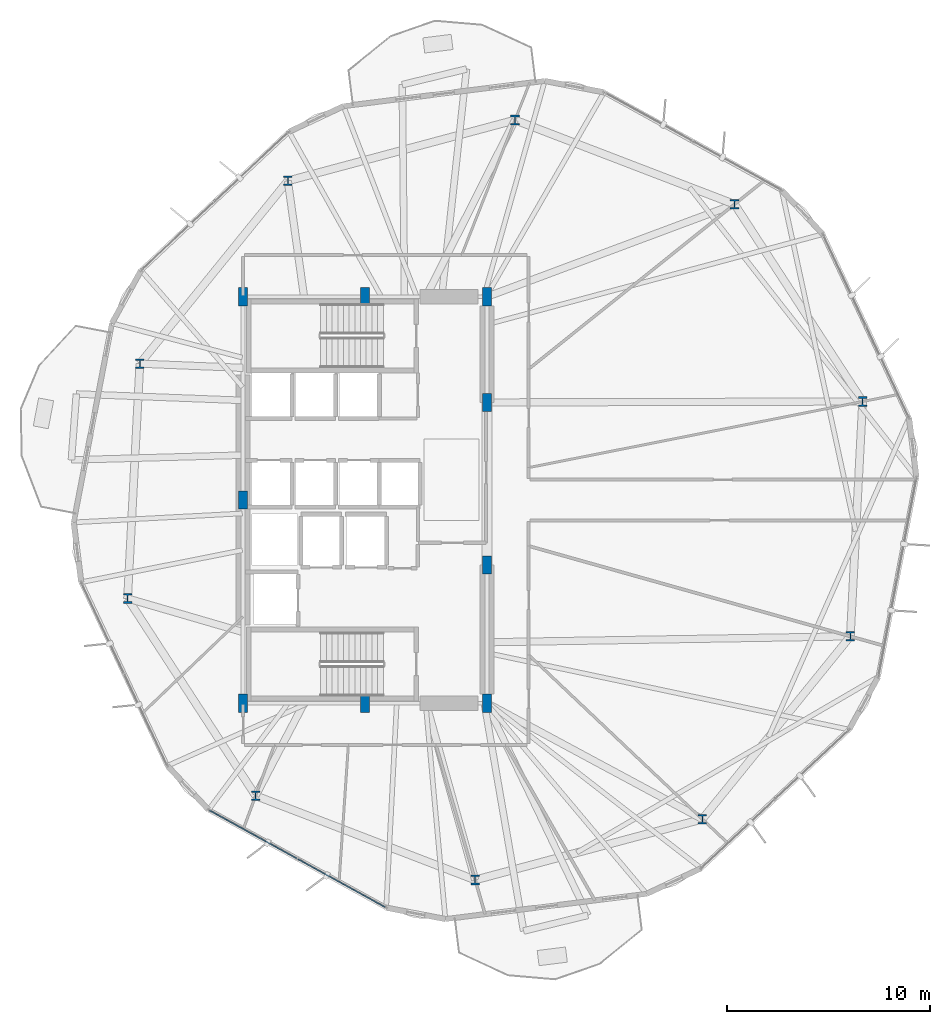
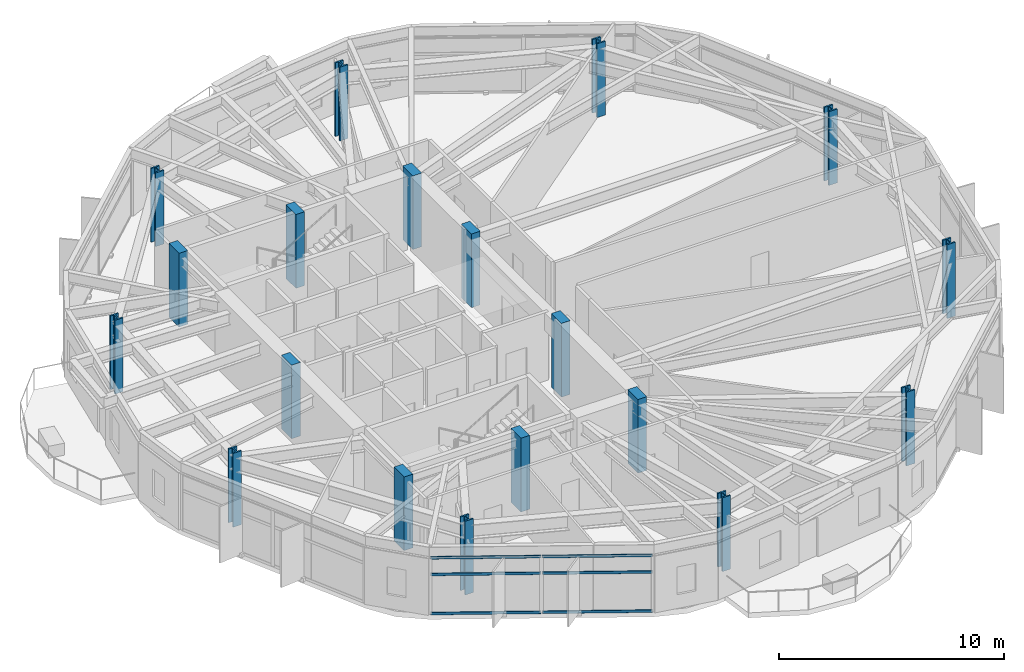
# One storey, part 1 of 22: 19 columns, 6 members, 1 element without a shape of its own.
"""IFC4 building model written with IfcOpenShell, lengths in metres."""

from ifc_helpers import new_model, si_unit, direction, frame, origin, origin_2d, place, context, subcontext, project, spatial, rectangle, hollow_rectangle, i_section, extrude, material, layer, layer_set, material_profile, profile_set, type_object, element, aggregate, save


model = new_model("IFC4")

# Units and contexts
model_context = context("Model", 3, precision=1e-05, world=origin(), true_north=direction((0.0, 1.0)))
body_context = subcontext(model_context, "Body", "Model", "MODEL_VIEW")
ifc_project = project(units=[si_unit("LENGTHUNIT", "METRE"), si_unit("AREAUNIT", "SQUARE_METRE"), si_unit("VOLUMEUNIT", "CUBIC_METRE"), si_unit("PLANEANGLEUNIT", "RADIAN"), si_unit("MASSUNIT", "GRAM", prefix="KILO")], contexts=[model_context])

# Site, building, storey
site_placement = place(None, origin())
site = spatial("IfcSite", under=ifc_project, at=site_placement, CompositionType="ELEMENT")
building_placement = place(site_placement, origin())
building = spatial("IfcBuilding", under=site, at=building_placement, Name="Soratama Intermodal Tower", CompositionType="ELEMENT")
storey_placement = place(building_placement, frame((0.0, 0.0, 54.60009765625)))
storey = spatial("IfcBuildingStorey", under=building, at=storey_placement, Name="L12", CompositionType="ELEMENT", Elevation=54.60009765625)

# Columns
ifc_material_1 = material(Name="Structural steel ASTM A992 Grade 50", Category="steel")
ifc_material_profile_1 = material_profile(ifc_material_1, i_section(OverallWidth=0.424072265625, OverallDepth=0.47412109375, WebThickness=0.047607421875, FlangeThickness=0.0771484375, FilletRadius=0.0380859375, at=origin_2d()), Name="W14X426")
ifc_profile_set_1 = profile_set([ifc_material_profile_1], Name="Structural steel ASTM A992 Grade 50")
column_type_1 = type_object("IfcColumnType", Name="COL-ZA-W14X426", PredefinedType="COLUMN", material=ifc_profile_set_1)
for number, where, z_axis, x_axis, name in (
    (1, (63.08203125, 29.84521484375, 0.0), (0.0, 0.0, 1.0), (1.0, 0.0, 0.0), "L12 Tower Ring Column R01"),
    (2, (56.781005859375, 39.548095703125, 0.0), (0.0, 0.0, 1.0), (1.0, 0.0, 0.0), "L12 Tower Ring Column R02"),
    (3, (45.979736328125, 43.6943359375, 0.0), (0.0, 0.0, 1.0), (1.0, 0.0, 0.0), "L12 Tower Ring Column R03"),
    (4, (34.804443359375, 40.699951171875, 0.0), (0.0, 0.0, 1.0), (1.0, 0.0, 0.0), "L12 Tower Ring Column R04"),
    (5, (27.5234375, 31.70849609375, 0.0), (0.0, 0.0, 1.0), (1.0, 0.0, 0.0), "L12 Tower Ring Column R05"),
    (6, (26.91796875, 20.15478515625, 0.0), (0.0, 0.0, 1.0), (1.0, 0.0, 0.0), "L12 Tower Ring Column R06"),
    (7, (33.218994140625, 10.451904296875, 0.0), (0.0, 0.0, 1.0), (1.0, 0.0, 0.0), "L12 Tower Ring Column R07"),
    (8, (44.020263671875, 6.3056640625, 0.0), (0.0, 0.0, 1.0), (1.0, 0.0, 0.0), "L12 Tower Ring Column R08"),
    (9, (55.195556640625, 9.300048828125, 0.0), (0.0, 0.0, 1.0), (1.0, 0.0, 0.0), "L12 Tower Ring Column R09"),
    (10, (62.4765625, 18.29150390625, 0.0), (0.0, 0.0, 1.0), (1.0, 0.0, 0.0), "L12 Tower Ring Column R10"),
):
    element("IfcColumn", number, at=place(storey_placement, frame(where, z_axis=z_axis, x_axis=x_axis)), inside=storey, type_object=column_type_1, Name=name, PredefinedType="COLUMN", context=body_context, shape_type="SweptSolid", body=[
        extrude(i_section(OverallWidth=0.424072265625, OverallDepth=0.47412109375, WebThickness=0.047607421875, FlangeThickness=0.0771484375, FilletRadius=0.0380859375, at=origin_2d()), origin(), (0.0, 0.0, 1.0), 4.0),
    ])
ifc_material_2 = material(Name="Concrete f'c 56 MPa", Category="concrete")
ifc_material_profile_2 = material_profile(ifc_material_2, rectangle(XDim=0.449951171875, YDim=0.89990234375, at=origin_2d()), Name="RC450X900")
ifc_profile_set_2 = profile_set([ifc_material_profile_2], Name="Concrete f'c 56 MPa")
column_type_2 = type_object("IfcColumnType", Name="PIL-CORE-450X900", PredefinedType="PILASTER", material=ifc_profile_set_2)
for number, where, z_axis, x_axis, name in (
    (11, (32.60009765625, 15.0, 0.0), (0.0, 0.0, 1.0), (1.0, 0.0, 0.0), "L12 Core Pilaster 1"),
    (12, (32.60009765625, 25.0, 0.0), (0.0, 0.0, 1.0), (1.0, 0.0, 0.0), "L12 Core Pilaster 2"),
    (13, (32.60009765625, 35.0, 0.0), (0.0, 0.0, 1.0), (1.0, 0.0, 0.0), "L12 Core Pilaster 3"),
    (14, (38.60009765625, 15.0, 0.0), (0.0, 0.0, 1.0), (1.0, 0.0, 0.0), "L12 Core Pilaster 4"),
    (15, (38.60009765625, 35.0, 0.0), (0.0, 0.0, 1.0), (1.0, 0.0, 0.0), "L12 Core Pilaster 5"),
    (16, (44.60009765625, 15.0, 0.0), (0.0, 0.0, 1.0), (1.0, 0.0, 0.0), "L12 Core Pilaster 6"),
    (17, (44.60009765625, 21.800048828125, 0.0), (0.0, 0.0, 1.0), (1.0, 0.0, 0.0), "L12 Core Pilaster 7"),
    (18, (44.60009765625, 29.800048828125, 0.0), (0.0, 0.0, 1.0), (1.0, 0.0, 0.0), "L12 Core Pilaster 8"),
    (19, (44.60009765625, 35.0, 0.0), (0.0, 0.0, 1.0), (1.0, 0.0, 0.0), "L12 Core Pilaster 9"),
):
    element("IfcColumn", number, at=place(storey_placement, frame(where, z_axis=z_axis, x_axis=x_axis)), inside=storey, type_object=column_type_2, Name=name, PredefinedType="PILASTER", context=body_context, shape_type="SweptSolid", body=[
        extrude(rectangle(XDim=0.449951171875, YDim=0.89990234375, at=origin_2d()), origin(), (0.0, 0.0, 1.0), 4.0),
    ])

# Curtain wall, members
ifc_material_3 = material(Name="Double-glazed aluminium curtain wall", Category="aluminium")
ifc_layer = layer(ifc_material_3, 0.159912109375)
ifc_layer_set = layer_set([ifc_layer], Name="Double-glazed aluminium curtain wall")
curtain_wall_type = type_object("IfcCurtainWallType", Name="CW-SYS-2", PredefinedType="NOTDEFINED", material=ifc_layer_set)
curtain_wall_placement = place(storey_placement, origin())
curtain_wall = element("IfcCurtainWall", 20, at=curtain_wall_placement, inside=storey, type_object=curtain_wall_type, Name="L12 Faceted Curtain Wall F07", PredefinedType="NOTDEFINED")
ifc_material_4 = material(Name="Anodised aluminium AA 6063-T6", Category="aluminium")
ifc_material_profile_3 = material_profile(ifc_material_4, hollow_rectangle(XDim=0.06494140625, YDim=0.14990234375, WallThickness=0.0048828125, InnerFilletRadius=0.0048828125, OuterFilletRadius=0.010009765625, at=origin_2d()), Name="CWT150X65X5")
ifc_profile_set_3 = profile_set([ifc_material_profile_3], Name="Anodised aluminium AA 6063-T6")
member_type = type_object("IfcMemberType", Name="TT-CWT-1", PredefinedType="USERDEFINED", material=ifc_profile_set_3)
member_1_placement = place(storey_placement, frame((30.953857421875, 9.7265625, 0.02978515625), z_axis=(0.875790540889, -0.482691338734, 0.0), x_axis=(0.482691338734, 0.875790540889, 0.0)))
member_1 = element("IfcMember", 21, at=member_1_placement, type_object=member_type, Name="CW-2 transom 1.1", ObjectType="TRANSOM", PredefinedType="USERDEFINED", context=body_context, shape_type="SweptSolid", body=[
    extrude(hollow_rectangle(XDim=0.06494140625, YDim=0.14990234375, WallThickness=0.0048828125, InnerFilletRadius=0.0048828125, OuterFilletRadius=0.010009765625, at=origin_2d()), origin(), (0.0, 0.0, 1.0), 4.899658203125),
])
member_2_placement = place(storey_placement, frame((30.953857421875, 9.7265625, 2.14990234375), z_axis=(0.875790540889, -0.482691338734, 0.0), x_axis=(0.482691338734, 0.875790540889, 0.0)))
member_2 = element("IfcMember", 22, at=member_2_placement, type_object=member_type, Name="CW-2 transom 1.2", ObjectType="TRANSOM", PredefinedType="USERDEFINED", context=body_context, shape_type="SweptSolid", body=[
    extrude(hollow_rectangle(XDim=0.06494140625, YDim=0.14990234375, WallThickness=0.0048828125, InnerFilletRadius=0.0048828125, OuterFilletRadius=0.010009765625, at=origin_2d()), origin(), (0.0, 0.0, 1.0), 4.899658203125),
])
member_3_placement = place(storey_placement, frame((30.953857421875, 9.7265625, 3.048828125), z_axis=(0.875790540889, -0.482691338734, 0.0), x_axis=(0.482691338734, 0.875790540889, 0.0)))
member_3 = element("IfcMember", 23, at=member_3_placement, type_object=member_type, Name="CW-2 transom 1.3", ObjectType="TRANSOM", PredefinedType="USERDEFINED", context=body_context, shape_type="SweptSolid", body=[
    extrude(hollow_rectangle(XDim=0.06494140625, YDim=0.14990234375, WallThickness=0.0048828125, InnerFilletRadius=0.0048828125, OuterFilletRadius=0.010009765625, at=origin_2d()), origin(), (0.0, 0.0, 1.0), 4.899658203125),
])
member_4_placement = place(storey_placement, frame((35.29736328125, 7.332763671875, 0.02978515625), z_axis=(0.875790540889, -0.482691338734, 0.0), x_axis=(0.482691338734, 0.875790540889, 0.0)))
member_4 = element("IfcMember", 24, at=member_4_placement, type_object=member_type, Name="CW-2 transom 2.1", ObjectType="TRANSOM", PredefinedType="USERDEFINED", context=body_context, shape_type="SweptSolid", body=[
    extrude(hollow_rectangle(XDim=0.06494140625, YDim=0.14990234375, WallThickness=0.0048828125, InnerFilletRadius=0.0048828125, OuterFilletRadius=0.010009765625, at=origin_2d()), origin(), (0.0, 0.0, 1.0), 4.899658203125),
])
member_5_placement = place(storey_placement, frame((35.29736328125, 7.332763671875, 2.14990234375), z_axis=(0.875790540889, -0.482691338734, 0.0), x_axis=(0.482691338734, 0.875790540889, 0.0)))
member_5 = element("IfcMember", 25, at=member_5_placement, type_object=member_type, Name="CW-2 transom 2.2", ObjectType="TRANSOM", PredefinedType="USERDEFINED", context=body_context, shape_type="SweptSolid", body=[
    extrude(hollow_rectangle(XDim=0.06494140625, YDim=0.14990234375, WallThickness=0.0048828125, InnerFilletRadius=0.0048828125, OuterFilletRadius=0.010009765625, at=origin_2d()), origin(), (0.0, 0.0, 1.0), 4.899658203125),
])
member_6_placement = place(storey_placement, frame((35.29736328125, 7.332763671875, 3.048828125), z_axis=(0.875790540889, -0.482691338734, 0.0), x_axis=(0.482691338734, 0.875790540889, 0.0)))
member_6 = element("IfcMember", 26, at=member_6_placement, type_object=member_type, Name="CW-2 transom 2.3", ObjectType="TRANSOM", PredefinedType="USERDEFINED", context=body_context, shape_type="SweptSolid", body=[
    extrude(hollow_rectangle(XDim=0.06494140625, YDim=0.14990234375, WallThickness=0.0048828125, InnerFilletRadius=0.0048828125, OuterFilletRadius=0.010009765625, at=origin_2d()), origin(), (0.0, 0.0, 1.0), 4.899658203125),
])
aggregate(curtain_wall, [member_1, member_2, member_3, member_4, member_5, member_6])

save(model, "model.ifc")
